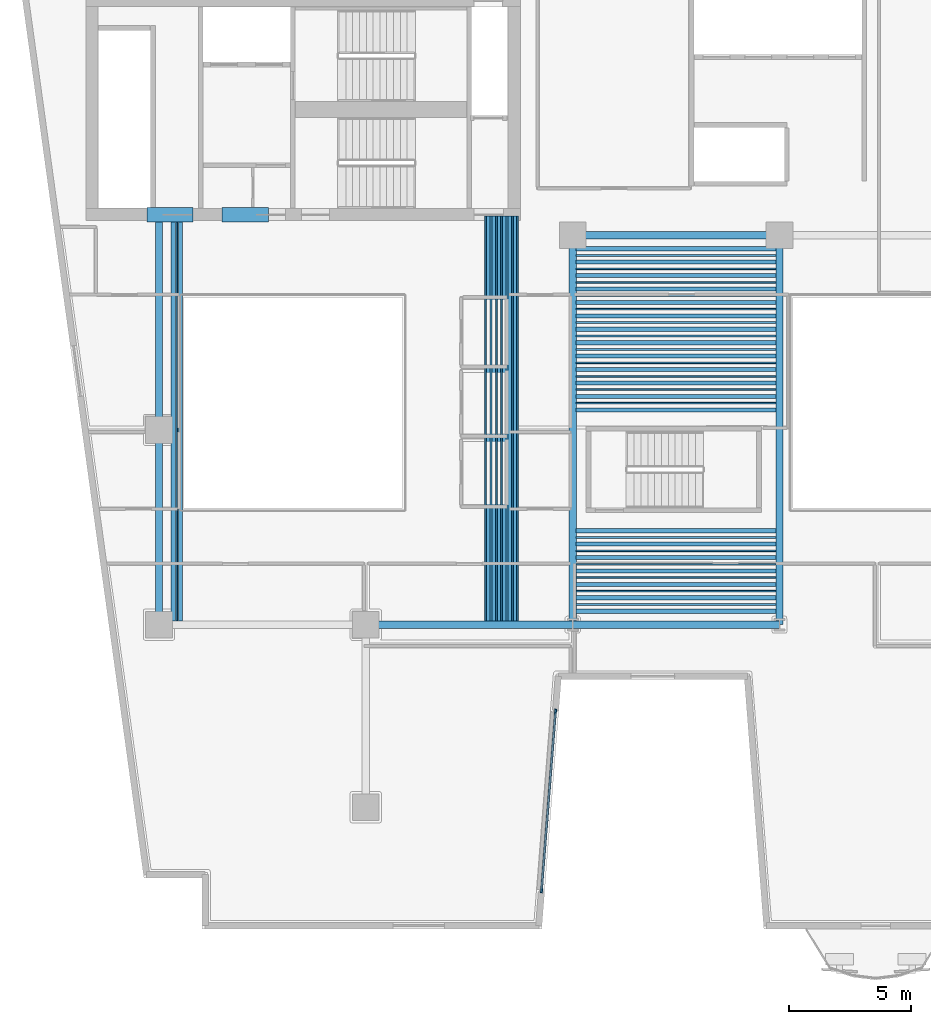
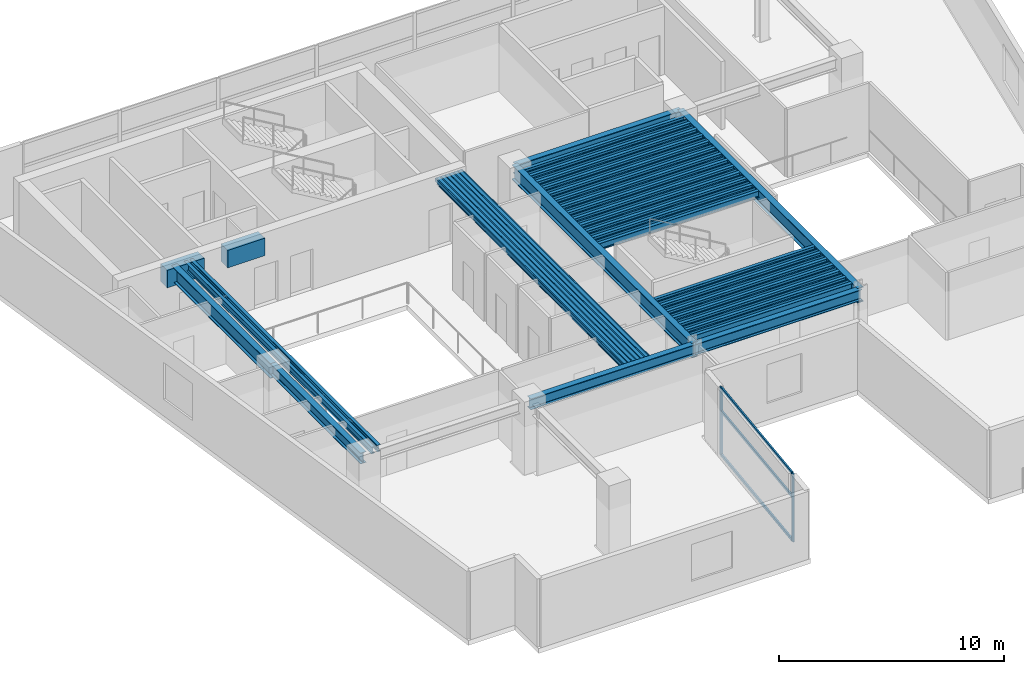
# One storey, part 2 of 12: 63 beams, 5 members, 1 element without a shape of its own.
"""IFC4 building model written with IfcOpenShell, lengths in metres."""

from ifc_helpers import new_model, si_unit, direction, frame, origin, origin_2d, place, context, subcontext, project, spatial, rectangle, hollow_rectangle, i_section, extrude, material, layer, layer_set, material_profile, profile_set, type_object, element, aggregate, save


model = new_model("IFC4")

# Units and contexts
model_context = context("Model", 3, precision=1e-05, world=origin(), true_north=direction((0.0, 1.0)))
body_context = subcontext(model_context, "Body", "Model", "MODEL_VIEW")
ifc_project = project(units=[si_unit("LENGTHUNIT", "METRE"), si_unit("AREAUNIT", "SQUARE_METRE"), si_unit("VOLUMEUNIT", "CUBIC_METRE"), si_unit("PLANEANGLEUNIT", "RADIAN"), si_unit("MASSUNIT", "GRAM", prefix="KILO")], contexts=[model_context])

# Site, building, storey
site_placement = place(None, origin())
site = spatial("IfcSite", under=ifc_project, at=site_placement, CompositionType="ELEMENT")
building_placement = place(site_placement, origin())
building = spatial("IfcBuilding", under=site, at=building_placement, Name="Caeloran Harvest Quay", CompositionType="ELEMENT")
storey_placement = place(building_placement, frame((0.0, 0.0, 119.300048828125)))
storey = spatial("IfcBuildingStorey", under=building, at=storey_placement, Name="L27", CompositionType="ELEMENT", Elevation=119.300048828125)

# Beams
ifc_material_1 = material(Name="Concrete C60/75", Category="concrete")
ifc_material_profile_1 = material_profile(ifc_material_1, rectangle(XDim=0.60009765625, YDim=0.949951171875, at=origin_2d()), Name="RC 600x950")
ifc_profile_set_1 = profile_set([ifc_material_profile_1], Name="Concrete C60/75")
beam_type_1 = type_object("IfcBeamType", Name="BM-CB-2-RC_600x950", PredefinedType="LINTEL", material=ifc_profile_set_1)
for number, where, z_axis, x_axis, name in (
    (1, (8.0, 31.85009765625, 3.21484375), (1.0, 0.0, 0.0), (0.0, 1.0, 0.0), "L27 Core Coupling Beam 1"),
    (2, (11.10009765625, 31.85009765625, 3.21484375), (1.0, 0.0, 0.0), (0.0, 1.0, 0.0), "L27 Core Coupling Beam 2"),
):
    element("IfcBeam", number, at=place(storey_placement, frame(where, z_axis=z_axis, x_axis=x_axis)), inside=storey, type_object=beam_type_1, Name=name, PredefinedType="LINTEL", context=body_context, shape_type="SweptSolid", body=[
        extrude(rectangle(XDim=0.60009765625, YDim=0.949951171875, at=origin_2d()), origin(), (0.0, 0.0, 1.0), 1.89990234375),
    ])
ifc_material_2 = material(Name="Steel S355J2", Category="steel")
ifc_material_profile_2 = material_profile(ifc_material_2, i_section(OverallWidth=0.300048828125, OverallDepth=0.800048828125, WebThickness=0.017578125, FlangeThickness=0.032958984375, FilletRadius=0.030029296875, at=origin_2d()), Name="HE 800 B")
ifc_profile_set_2 = profile_set([ifc_material_profile_2], Name="Steel S355J2")
beam_type_2 = type_object("IfcBeamType", Name="BM-PG-1-HE_800_B", PredefinedType="BEAM", material=ifc_profile_set_2)
beam_1_placement = place(storey_placement, frame((8.5, 23.0, 3.2900390625), z_axis=(0.0, 1.0, 0.0), x_axis=(-1.0, 0.0, 0.0)))
element("IfcBeam", 3, at=beam_1_placement, inside=storey, type_object=beam_type_2, Name="L27 Core South Tie Girder X=8.5", PredefinedType="BEAM", context=body_context, shape_type="SweptSolid", body=[
    extrude(i_section(OverallWidth=0.300048828125, OverallDepth=0.800048828125, WebThickness=0.017578125, FlangeThickness=0.032958984375, FilletRadius=0.030029296875, at=origin_2d()), origin(), (0.0, 0.0, 1.0), 8.800048828125),
])
for number, where, z_axis, x_axis, name in (
    (4, (25.5, 15.0, 3.2900390625), (0.0, 1.0, 0.0), (-1.0, 0.0, 0.0), "L27 Primary North-South Girder X=25.5"),
    (5, (34.0, 15.0, 3.2900390625), (0.0, 1.0, 0.0), (-1.0, 0.0, 0.0), "L27 Primary North-South Girder X=34.0"),
):
    element("IfcBeam", number, at=place(storey_placement, frame(where, z_axis=z_axis, x_axis=x_axis)), inside=storey, type_object=beam_type_2, Name=name, PredefinedType="BEAM", context=body_context, shape_type="SweptSolid", body=[
        extrude(i_section(OverallWidth=0.300048828125, OverallDepth=0.800048828125, WebThickness=0.017578125, FlangeThickness=0.032958984375, FilletRadius=0.030029296875, at=origin_2d()), origin(), (0.0, 0.0, 1.0), 16.0),
    ])
ifc_material_profile_3 = material_profile(ifc_material_2, i_section(OverallWidth=0.300048828125, OverallDepth=0.60009765625, WebThickness=0.015380859375, FlangeThickness=0.030029296875, FilletRadius=0.027099609375, at=origin_2d()), Name="HE 600 B")
ifc_profile_set_3 = profile_set([ifc_material_profile_3], Name="Steel S355J2")
beam_type_3 = type_object("IfcBeamType", Name="BM-PG-3-HE_600_B", PredefinedType="BEAM", material=ifc_profile_set_3)
for number, where, z_axis, x_axis, name in (
    (6, (17.0, 15.0, 3.389892578125), (1.0, 0.0, 0.0), (0.0, 1.0, 0.0), "L27 Primary East-West Girder Y=15.0"),
    (7, (25.5, 15.0, 3.389892578125), (1.0, 0.0, 0.0), (0.0, 1.0, 0.0), "L27 Primary East-West Girder Y=15.0"),
    (8, (25.5, 31.0, 3.389892578125), (1.0, 0.0, 0.0), (0.0, 1.0, 0.0), "L27 Primary East-West Girder Y=31.0"),
):
    element("IfcBeam", number, at=place(storey_placement, frame(where, z_axis=z_axis, x_axis=x_axis)), inside=storey, type_object=beam_type_3, Name=name, PredefinedType="BEAM", context=body_context, shape_type="SweptSolid", body=[
        extrude(i_section(OverallWidth=0.300048828125, OverallDepth=0.60009765625, WebThickness=0.015380859375, FlangeThickness=0.030029296875, FilletRadius=0.027099609375, at=origin_2d()), origin(), (0.0, 0.0, 1.0), 8.5),
    ])
beam_2_placement = place(storey_placement, frame((8.5, 15.0, 3.389892578125), z_axis=(0.0, 1.0, 0.0), x_axis=(-1.0, 0.0, 0.0)))
element("IfcBeam", 9, at=beam_2_placement, inside=storey, type_object=beam_type_3, Name="L27 Primary North-South Girder X=8.5", PredefinedType="BEAM", context=body_context, shape_type="SweptSolid", body=[
    extrude(i_section(OverallWidth=0.300048828125, OverallDepth=0.60009765625, WebThickness=0.015380859375, FlangeThickness=0.030029296875, FilletRadius=0.027099609375, at=origin_2d()), origin(), (0.0, 0.0, 1.0), 8.0),
])
ifc_material_profile_4 = material_profile(ifc_material_2, i_section(OverallWidth=0.169921875, OverallDepth=0.360107421875, WebThickness=0.008056640625, FlangeThickness=0.0126953125, FilletRadius=0.01806640625, at=origin_2d()), Name="IPE 360")
ifc_profile_set_4 = profile_set([ifc_material_profile_4], Name="Steel S355J2")
beam_type_4 = type_object("IfcBeamType", Name="BM-SB-5-IPE_360", PredefinedType="JOIST", material=ifc_profile_set_4)
for number, where, z_axis, x_axis, name in (
    (10, (9.086181640625, 15.14501953125, 3.510009765625), (0.0, 1.0, 0.0), (-1.0, 0.0, 0.0), "L27 Secondary Composite Joist"),
    (11, (9.37939453125, 15.14501953125, 3.510009765625), (0.0, 1.0, 0.0), (-1.0, 0.0, 0.0), "L27 Secondary Composite Joist"),
    (12, (22.0361328125, 15.14501953125, 3.510009765625), (0.0, 1.0, 0.0), (-1.0, 0.0, 0.0), "L27 Secondary Composite Joist"),
    (13, (22.255126953125, 15.14501953125, 3.510009765625), (0.0, 1.0, 0.0), (-1.0, 0.0, 0.0), "L27 Secondary Composite Joist"),
    (14, (22.47412109375, 15.14501953125, 3.510009765625), (0.0, 1.0, 0.0), (-1.0, 0.0, 0.0), "L27 Secondary Composite Joist"),
    (15, (22.693115234375, 15.14501953125, 3.510009765625), (0.0, 1.0, 0.0), (-1.0, 0.0, 0.0), "L27 Secondary Composite Joist"),
    (16, (22.912109375, 15.14501953125, 3.510009765625), (0.0, 1.0, 0.0), (-1.0, 0.0, 0.0), "L27 Secondary Composite Joist"),
    (17, (23.131103515625, 15.14501953125, 3.510009765625), (0.0, 1.0, 0.0), (-1.0, 0.0, 0.0), "L27 Secondary Composite Joist"),
):
    element("IfcBeam", number, at=place(storey_placement, frame(where, z_axis=z_axis, x_axis=x_axis)), inside=storey, type_object=beam_type_4, Name=name, PredefinedType="JOIST", context=body_context, shape_type="SweptSolid", body=[
        extrude(i_section(OverallWidth=0.169921875, OverallDepth=0.360107421875, WebThickness=0.008056640625, FlangeThickness=0.0126953125, FilletRadius=0.01806640625, at=origin_2d()), origin(), (0.0, 0.0, 1.0), 16.655029296875),
    ])
for number, where, z_axis, x_axis, name in (
    (18, (25.64501953125, 15.5517578125, 3.510009765625), (1.0, 0.0, 0.0), (0.0, 1.0, 0.0), "L27 Secondary East-West Composite Joist"),
    (19, (25.64501953125, 16.103515625, 3.510009765625), (1.0, 0.0, 0.0), (0.0, 1.0, 0.0), "L27 Secondary East-West Composite Joist"),
    (20, (25.64501953125, 16.6552734375, 3.510009765625), (1.0, 0.0, 0.0), (0.0, 1.0, 0.0), "L27 Secondary East-West Composite Joist"),
    (21, (25.64501953125, 17.206787109375, 3.510009765625), (1.0, 0.0, 0.0), (0.0, 1.0, 0.0), "L27 Secondary East-West Composite Joist"),
    (22, (25.64501953125, 17.758544921875, 3.510009765625), (1.0, 0.0, 0.0), (0.0, 1.0, 0.0), "L27 Secondary East-West Composite Joist"),
    (23, (25.64501953125, 18.310302734375, 3.510009765625), (1.0, 0.0, 0.0), (0.0, 1.0, 0.0), "L27 Secondary East-West Composite Joist"),
    (24, (25.64501953125, 18.862060546875, 3.510009765625), (1.0, 0.0, 0.0), (0.0, 1.0, 0.0), "L27 Secondary East-West Composite Joist"),
    (25, (25.64501953125, 23.82763671875, 3.510009765625), (1.0, 0.0, 0.0), (0.0, 1.0, 0.0), "L27 Secondary East-West Composite Joist"),
    (26, (25.64501953125, 24.37939453125, 3.510009765625), (1.0, 0.0, 0.0), (0.0, 1.0, 0.0), "L27 Secondary East-West Composite Joist"),
    (27, (25.64501953125, 24.930908203125, 3.510009765625), (1.0, 0.0, 0.0), (0.0, 1.0, 0.0), "L27 Secondary East-West Composite Joist"),
    (28, (25.64501953125, 25.48291015625, 3.510009765625), (1.0, 0.0, 0.0), (0.0, 1.0, 0.0), "L27 Secondary East-West Composite Joist"),
    (29, (25.64501953125, 26.034423828125, 3.510009765625), (1.0, 0.0, 0.0), (0.0, 1.0, 0.0), "L27 Secondary East-West Composite Joist"),
    (30, (25.64501953125, 26.586181640625, 3.510009765625), (1.0, 0.0, 0.0), (0.0, 1.0, 0.0), "L27 Secondary East-West Composite Joist"),
    (31, (25.64501953125, 27.137939453125, 3.510009765625), (1.0, 0.0, 0.0), (0.0, 1.0, 0.0), "L27 Secondary East-West Composite Joist"),
    (32, (25.64501953125, 27.689697265625, 3.510009765625), (1.0, 0.0, 0.0), (0.0, 1.0, 0.0), "L27 Secondary East-West Composite Joist"),
    (33, (25.64501953125, 28.241455078125, 3.510009765625), (1.0, 0.0, 0.0), (0.0, 1.0, 0.0), "L27 Secondary East-West Composite Joist"),
    (34, (25.64501953125, 28.793212890625, 3.510009765625), (1.0, 0.0, 0.0), (0.0, 1.0, 0.0), "L27 Secondary East-West Composite Joist"),
    (35, (25.64501953125, 29.3447265625, 3.510009765625), (1.0, 0.0, 0.0), (0.0, 1.0, 0.0), "L27 Secondary East-West Composite Joist"),
    (36, (25.64501953125, 29.896484375, 3.510009765625), (1.0, 0.0, 0.0), (0.0, 1.0, 0.0), "L27 Secondary East-West Composite Joist"),
    (37, (25.64501953125, 30.4482421875, 3.510009765625), (1.0, 0.0, 0.0), (0.0, 1.0, 0.0), "L27 Secondary East-West Composite Joist"),
):
    element("IfcBeam", number, at=place(storey_placement, frame(where, z_axis=z_axis, x_axis=x_axis)), inside=storey, type_object=beam_type_4, Name=name, PredefinedType="JOIST", context=body_context, shape_type="SweptSolid", body=[
        extrude(i_section(OverallWidth=0.169921875, OverallDepth=0.360107421875, WebThickness=0.008056640625, FlangeThickness=0.0126953125, FilletRadius=0.01806640625, at=origin_2d()), origin(), (0.0, 0.0, 1.0), 8.2099609375),
    ])
ifc_material_profile_5 = material_profile(ifc_material_2, hollow_rectangle(XDim=0.080078125, YDim=0.199951171875, WallThickness=0.006103515625, InnerFilletRadius=0.006103515625, OuterFilletRadius=0.009033203125, at=origin_2d()), Name="RHS 200x80x6")
ifc_profile_set_5 = profile_set([ifc_material_profile_5], Name="Steel S355J2")
beam_type_5 = type_object("IfcBeamType", Name="BM-SB-7-RHS_200x80x6", PredefinedType="JOIST", material=ifc_profile_set_5)
for number, where, z_axis, x_axis, name in (
    (38, (9.23291015625, 15.14501953125, 3.58984375), (0.0, 1.0, 0.0), (-1.0, 0.0, 0.0), "L27 Secondary Composite Joist"),
    (39, (21.9267578125, 15.14501953125, 3.58984375), (0.0, 1.0, 0.0), (-1.0, 0.0, 0.0), "L27 Secondary Composite Joist"),
    (40, (22.145751953125, 15.14501953125, 3.58984375), (0.0, 1.0, 0.0), (-1.0, 0.0, 0.0), "L27 Secondary Composite Joist"),
    (41, (22.36474609375, 15.14501953125, 3.58984375), (0.0, 1.0, 0.0), (-1.0, 0.0, 0.0), "L27 Secondary Composite Joist"),
    (42, (22.58349609375, 15.14501953125, 3.58984375), (0.0, 1.0, 0.0), (-1.0, 0.0, 0.0), "L27 Secondary Composite Joist"),
    (43, (22.802490234375, 15.14501953125, 3.58984375), (0.0, 1.0, 0.0), (-1.0, 0.0, 0.0), "L27 Secondary Composite Joist"),
    (44, (23.021484375, 15.14501953125, 3.58984375), (0.0, 1.0, 0.0), (-1.0, 0.0, 0.0), "L27 Secondary Composite Joist"),
    (45, (23.240478515625, 15.14501953125, 3.58984375), (0.0, 1.0, 0.0), (-1.0, 0.0, 0.0), "L27 Secondary Composite Joist"),
):
    element("IfcBeam", number, at=place(storey_placement, frame(where, z_axis=z_axis, x_axis=x_axis)), inside=storey, type_object=beam_type_5, Name=name, PredefinedType="JOIST", context=body_context, shape_type="SweptSolid", body=[
        extrude(hollow_rectangle(XDim=0.080078125, YDim=0.199951171875, WallThickness=0.006103515625, InnerFilletRadius=0.006103515625, OuterFilletRadius=0.009033203125, at=origin_2d()), origin(), (0.0, 0.0, 1.0), 16.655029296875),
    ])
for number, where, z_axis, x_axis, name in (
    (46, (25.64501953125, 15.82763671875, 3.58984375), (1.0, 0.0, 0.0), (0.0, 1.0, 0.0), "L27 Secondary East-West Composite Joist"),
    (47, (25.64501953125, 16.37939453125, 3.58984375), (1.0, 0.0, 0.0), (0.0, 1.0, 0.0), "L27 Secondary East-West Composite Joist"),
    (48, (25.64501953125, 16.930908203125, 3.58984375), (1.0, 0.0, 0.0), (0.0, 1.0, 0.0), "L27 Secondary East-West Composite Joist"),
    (49, (25.64501953125, 17.48291015625, 3.58984375), (1.0, 0.0, 0.0), (0.0, 1.0, 0.0), "L27 Secondary East-West Composite Joist"),
    (50, (25.64501953125, 18.034423828125, 3.58984375), (1.0, 0.0, 0.0), (0.0, 1.0, 0.0), "L27 Secondary East-West Composite Joist"),
    (51, (25.64501953125, 18.586181640625, 3.58984375), (1.0, 0.0, 0.0), (0.0, 1.0, 0.0), "L27 Secondary East-West Composite Joist"),
    (52, (25.64501953125, 24.103515625, 3.58984375), (1.0, 0.0, 0.0), (0.0, 1.0, 0.0), "L27 Secondary East-West Composite Joist"),
    (53, (25.64501953125, 24.6552734375, 3.58984375), (1.0, 0.0, 0.0), (0.0, 1.0, 0.0), "L27 Secondary East-West Composite Joist"),
    (54, (25.64501953125, 25.206787109375, 3.58984375), (1.0, 0.0, 0.0), (0.0, 1.0, 0.0), "L27 Secondary East-West Composite Joist"),
    (55, (25.64501953125, 25.758544921875, 3.58984375), (1.0, 0.0, 0.0), (0.0, 1.0, 0.0), "L27 Secondary East-West Composite Joist"),
    (56, (25.64501953125, 26.310302734375, 3.58984375), (1.0, 0.0, 0.0), (0.0, 1.0, 0.0), "L27 Secondary East-West Composite Joist"),
    (57, (25.64501953125, 26.862060546875, 3.58984375), (1.0, 0.0, 0.0), (0.0, 1.0, 0.0), "L27 Secondary East-West Composite Joist"),
    (58, (25.64501953125, 27.413818359375, 3.58984375), (1.0, 0.0, 0.0), (0.0, 1.0, 0.0), "L27 Secondary East-West Composite Joist"),
    (59, (25.64501953125, 27.965576171875, 3.58984375), (1.0, 0.0, 0.0), (0.0, 1.0, 0.0), "L27 Secondary East-West Composite Joist"),
    (60, (25.64501953125, 28.51708984375, 3.58984375), (1.0, 0.0, 0.0), (0.0, 1.0, 0.0), "L27 Secondary East-West Composite Joist"),
    (61, (25.64501953125, 29.069091796875, 3.58984375), (1.0, 0.0, 0.0), (0.0, 1.0, 0.0), "L27 Secondary East-West Composite Joist"),
    (62, (25.64501953125, 29.62060546875, 3.58984375), (1.0, 0.0, 0.0), (0.0, 1.0, 0.0), "L27 Secondary East-West Composite Joist"),
    (63, (25.64501953125, 30.17236328125, 3.58984375), (1.0, 0.0, 0.0), (0.0, 1.0, 0.0), "L27 Secondary East-West Composite Joist"),
):
    element("IfcBeam", number, at=place(storey_placement, frame(where, z_axis=z_axis, x_axis=x_axis)), inside=storey, type_object=beam_type_5, Name=name, PredefinedType="JOIST", context=body_context, shape_type="SweptSolid", body=[
        extrude(hollow_rectangle(XDim=0.080078125, YDim=0.199951171875, WallThickness=0.006103515625, InnerFilletRadius=0.006103515625, OuterFilletRadius=0.009033203125, at=origin_2d()), origin(), (0.0, 0.0, 1.0), 8.2099609375),
    ])

# Curtain wall, members
ifc_material_3 = material(Name="Aluminium 6063-T6 and Low-E Glazing", Category="aluminium")
ifc_layer = layer(ifc_material_3, 0.18994140625, Name="Aluminium 6063-T6 and Low-E Glazing")
ifc_layer_set = layer_set([ifc_layer], Name="Aluminium 6063-T6 and Low-E Glazing")
curtain_wall_type = type_object("IfcCurtainWallType", Name="CW-SYS-CW-3", PredefinedType="USERDEFINED", material=ifc_layer_set)
curtain_wall_placement = place(storey_placement, origin())
curtain_wall = element("IfcCurtainWall", 64, at=curtain_wall_placement, inside=storey, type_object=curtain_wall_type, Name="L27 Unitised Curtain Wall CW-3 Run 15", ObjectType="CURTAIN_WALL", PredefinedType="USERDEFINED")
ifc_material_4 = material(Name="Aluminium 6063-T6", Category="aluminium")
ifc_material_profile_6 = material_profile(ifc_material_4, rectangle(XDim=0.080078125, YDim=0.179931640625, at=origin_2d()), Name="CW-MULLION-180")
ifc_profile_set_6 = profile_set([ifc_material_profile_6], Name="Aluminium 6063-T6")
member_type_1 = type_object("IfcMemberType", Name="CW-MULLION-180", PredefinedType="MULLION", material=ifc_profile_set_6)
member_1_placement = place(storey_placement, frame((24.7978515625, 11.4443359375, 0.0), z_axis=(0.0, 0.0, 1.0), x_axis=(0.996967280277, -0.077821861046, 0.0)))
member_1 = element("IfcMember", 65, at=member_1_placement, type_object=member_type_1, Name="CW-3 mullion 1", PredefinedType="MULLION", context=body_context, shape_type="SweptSolid", body=[
    extrude(rectangle(XDim=0.080078125, YDim=0.179931640625, at=origin_2d()), origin(), (0.0, 0.0, 1.0), 3.68994140625),
])
member_2_placement = place(storey_placement, frame((24.221923828125, 4.065673828125, 0.0), z_axis=(0.0, 0.0, 1.0), x_axis=(0.996967280277, -0.077821861046, 0.0)))
member_2 = element("IfcMember", 66, at=member_2_placement, type_object=member_type_1, Name="CW-3 mullion 2", PredefinedType="MULLION", context=body_context, shape_type="SweptSolid", body=[
    extrude(rectangle(XDim=0.080078125, YDim=0.179931640625, at=origin_2d()), origin(), (0.0, 0.0, 1.0), 3.68994140625),
])
ifc_material_profile_7 = material_profile(ifc_material_4, rectangle(XDim=0.080078125, YDim=0.14990234375, at=origin_2d()), Name="CW-TRANSOM-150")
ifc_profile_set_7 = profile_set([ifc_material_profile_7], Name="Aluminium 6063-T6")
member_type_2 = type_object("IfcMemberType", Name="CW-TRANSOM-150", PredefinedType="USERDEFINED", material=ifc_profile_set_7)
member_3_placement = place(storey_placement, frame((24.794677734375, 11.404541015625, 0.0400390625), z_axis=(-0.077831218093, -0.996966549835, 0.0), x_axis=(0.996966549835, -0.077831218093, 0.0)))
member_3 = element("IfcMember", 67, at=member_3_placement, type_object=member_type_2, Name="CW-3 transom 1.1", ObjectType="TRANSOM", PredefinedType="USERDEFINED", context=body_context, shape_type="SweptSolid", body=[
    extrude(rectangle(XDim=0.080078125, YDim=0.14990234375, at=origin_2d()), origin(), (0.0, 0.0, 1.0), 7.3212890625),
])
member_4_placement = place(storey_placement, frame((24.794677734375, 11.404541015625, 2.39990234375), z_axis=(-0.077831218093, -0.996966549835, 0.0), x_axis=(0.996966549835, -0.077831218093, 0.0)))
member_4 = element("IfcMember", 68, at=member_4_placement, type_object=member_type_2, Name="CW-3 transom 1.2", ObjectType="TRANSOM", PredefinedType="USERDEFINED", context=body_context, shape_type="SweptSolid", body=[
    extrude(rectangle(XDim=0.080078125, YDim=0.14990234375, at=origin_2d()), origin(), (0.0, 0.0, 1.0), 7.3212890625),
])
member_5_placement = place(storey_placement, frame((24.794677734375, 11.404541015625, 3.64990234375), z_axis=(-0.077831218093, -0.996966549835, 0.0), x_axis=(0.996966549835, -0.077831218093, 0.0)))
member_5 = element("IfcMember", 69, at=member_5_placement, type_object=member_type_2, Name="CW-3 transom 1.3", ObjectType="TRANSOM", PredefinedType="USERDEFINED", context=body_context, shape_type="SweptSolid", body=[
    extrude(rectangle(XDim=0.080078125, YDim=0.14990234375, at=origin_2d()), origin(), (0.0, 0.0, 1.0), 7.3212890625),
])
aggregate(curtain_wall, [member_1, member_2, member_3, member_4, member_5])

save(model, "model.ifc")
